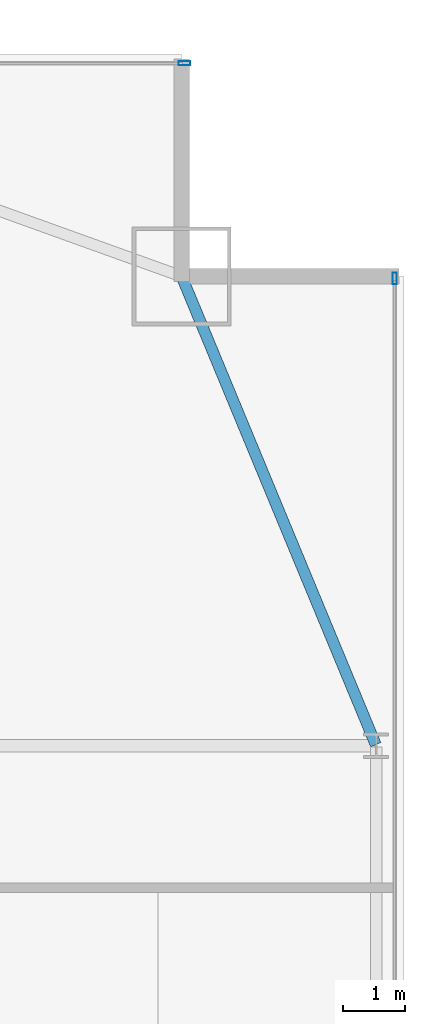
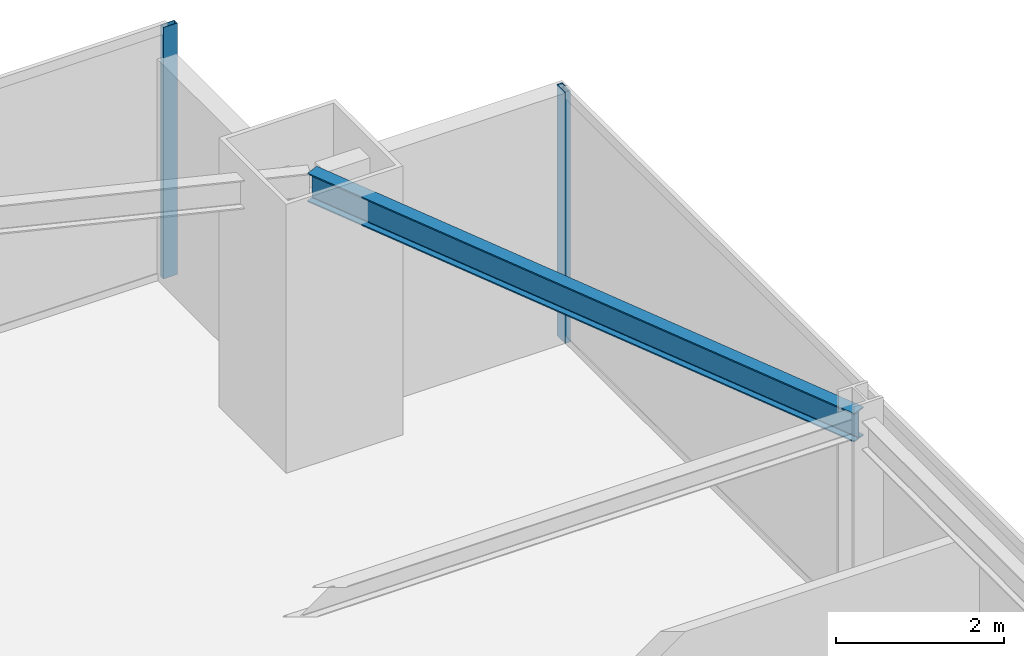
# One storey, part 24 of 35: 2 members, 1 beam, 2 elements without a shape of their own.
"""IFC4 building model written with IfcOpenShell, lengths in metres."""

from ifc_helpers import new_model, si_unit, direction, frame, origin, origin_2d, place, context, subcontext, project, spatial, hollow_rectangle, i_section, extrude, source, transform, mapped, material, layer, layer_set, material_profile, profile_set, type_object, type_shapes, element, aggregate, save


model = new_model("IFC4")

# Units and contexts
model_context = context("Model", 3, precision=1e-05, world=origin(), true_north=direction((0.0, 1.0)))
body_context = subcontext(model_context, "Body", "Model", "MODEL_VIEW")
ifc_project = project(units=[si_unit("LENGTHUNIT", "METRE"), si_unit("AREAUNIT", "SQUARE_METRE"), si_unit("VOLUMEUNIT", "CUBIC_METRE"), si_unit("PLANEANGLEUNIT", "RADIAN"), si_unit("MASSUNIT", "GRAM", prefix="KILO")], contexts=[model_context])

# Site, building, storey
site_placement = place(None, origin())
site = spatial("IfcSite", under=ifc_project, at=site_placement, CompositionType="ELEMENT")
building_placement = place(site_placement, origin())
building = spatial("IfcBuilding", under=site, at=building_placement, Name="Varnel Quay Broadcast Tower", CompositionType="ELEMENT")
storey_placement = place(building_placement, frame((0.0, 0.0, 66.60009765625)))
storey = spatial("IfcBuildingStorey", under=building, at=storey_placement, Name="L15", CompositionType="ELEMENT", Elevation=66.60009765625)

# Beam
ifc_material_1 = material(Name="Structural Steel CSA G40.21 350W", Category="steel")
ifc_material_profile_1 = material_profile(ifc_material_1, i_section(OverallWidth=0.180908203125, OverallDepth=0.4169921875, WebThickness=0.010986328125, FlangeThickness=0.018310546875, FilletRadius=0.011962890625, at=origin_2d()), Name="W410X85")
ifc_profile_set_1 = profile_set([ifc_material_profile_1], Name="Structural Steel CSA G40.21 350W")
beam_type = type_object("IfcBeamType", Name="Beam_W410X85", PredefinedType="SPANDREL", material=ifc_profile_set_1)
shared_shape_1 = source(origin(), body_context, "Body", "SweptSolid", [
    extrude(i_section(OverallWidth=0.180908203125, OverallDepth=0.4169921875, WebThickness=0.010986328125, FlangeThickness=0.018310546875, FilletRadius=0.011962890625, at=origin_2d()), origin(), (0.0, 0.0, 1.0), 8.186767578125),
])
type_shapes(beam_type, [shared_shape_1])
beam_placement = place(storey_placement, frame((65.542236328125, 35.618408203125, 3.44140625), z_axis=(-0.382874132092, 0.923800519038, 0.0), x_axis=(-0.923800519038, -0.382874132092, 0.0)))
element("IfcBeam", 1, at=beam_placement, inside=storey, type_object=beam_type, Name="L15 East Spandrel TC-E3-MC-NE", PredefinedType="SPANDREL", context=body_context, shape_type="MappedRepresentation", body=[
    mapped(shared_shape_1, transform((0.0, 0.0, 0.0), x_axis=(1.0, 0.0, 0.0), y_axis=(0.0, 1.0, 0.0), z_axis=(0.0, 0.0, 1.0), scale=1.0)),
])

# Curtain wall, member
ifc_material_2 = material(Name="Anodised Bronze Aluminium 6063-T6", Category="aluminium")
ifc_layer = layer(ifc_material_2, 0.18994140625, Name="Anodised Bronze Aluminium 6063-T6")
ifc_layer_set = layer_set([ifc_layer], Name="Anodised Bronze Aluminium 6063-T6")
curtain_wall_type = type_object("IfcCurtainWallType", Name="CW_LowerTower", PredefinedType="NOTDEFINED", material=ifc_layer_set)
curtain_wall_1_placement = place(storey_placement, origin())
curtain_wall_1 = element("IfcCurtainWall", 2, at=curtain_wall_1_placement, inside=storey, type_object=curtain_wall_type, Name="L15 East Unitised Curtain Wall", PredefinedType="NOTDEFINED")
ifc_material_profile_2 = material_profile(ifc_material_2, hollow_rectangle(XDim=0.070068359375, YDim=0.18994140625, WallThickness=0.00390625, at=origin_2d()), Name="ALU70X190X4")
ifc_profile_set_2 = profile_set([ifc_material_profile_2], Name="Anodised Bronze Aluminium 6063-T6")
member_type = type_object("IfcMemberType", Name="Mull_CWS-02", PredefinedType="MULLION", material=ifc_profile_set_2)
shared_shape_2 = source(origin(), body_context, "Body", "SweptSolid", [
    extrude(hollow_rectangle(XDim=0.070068359375, YDim=0.18994140625, WallThickness=0.00390625, at=origin_2d()), origin(), (0.0, 0.0, 1.0), 3.64990234375),
])
type_shapes(member_type, [shared_shape_2])
member_1_placement = place(storey_placement, frame((65.85009765625, 43.1650390625, 0.0), z_axis=(0.0, 0.0, 1.0), x_axis=(-1.0, 0.0, 0.0)))
member_1 = element("IfcMember", 3, at=member_1_placement, type_object=member_type, Name="CWS-02 mullion 4", PredefinedType="MULLION", context=body_context, shape_type="MappedRepresentation", body=[
    mapped(shared_shape_2, transform((0.0, 0.0, 0.0), x_axis=(1.0, 0.0, 0.0), y_axis=(0.0, 1.0, 0.0), z_axis=(0.0, 0.0, 1.0), scale=1.0)),
])
aggregate(curtain_wall_1, [member_1])

curtain_wall_2_placement = place(storey_placement, origin())
curtain_wall_2 = element("IfcCurtainWall", 4, at=curtain_wall_2_placement, inside=storey, type_object=curtain_wall_type, Name="L15 NE Wing Curtain Wall", PredefinedType="NOTDEFINED")
member_2_placement = place(storey_placement, frame((62.445068359375, 46.64990234375, 0.0), z_axis=(0.0, 0.0, 1.0), x_axis=(0.0, 1.0, 0.0)))
member_2 = element("IfcMember", 5, at=member_2_placement, type_object=member_type, Name="CWS-02 mullion 2", PredefinedType="MULLION", context=body_context, shape_type="MappedRepresentation", body=[
    mapped(shared_shape_2, transform((0.0, 0.0, 0.0), x_axis=(1.0, 0.0, 0.0), y_axis=(0.0, 1.0, 0.0), z_axis=(0.0, 0.0, 1.0), scale=1.0)),
])
aggregate(curtain_wall_2, [member_2])

save(model, "model.ifc")
